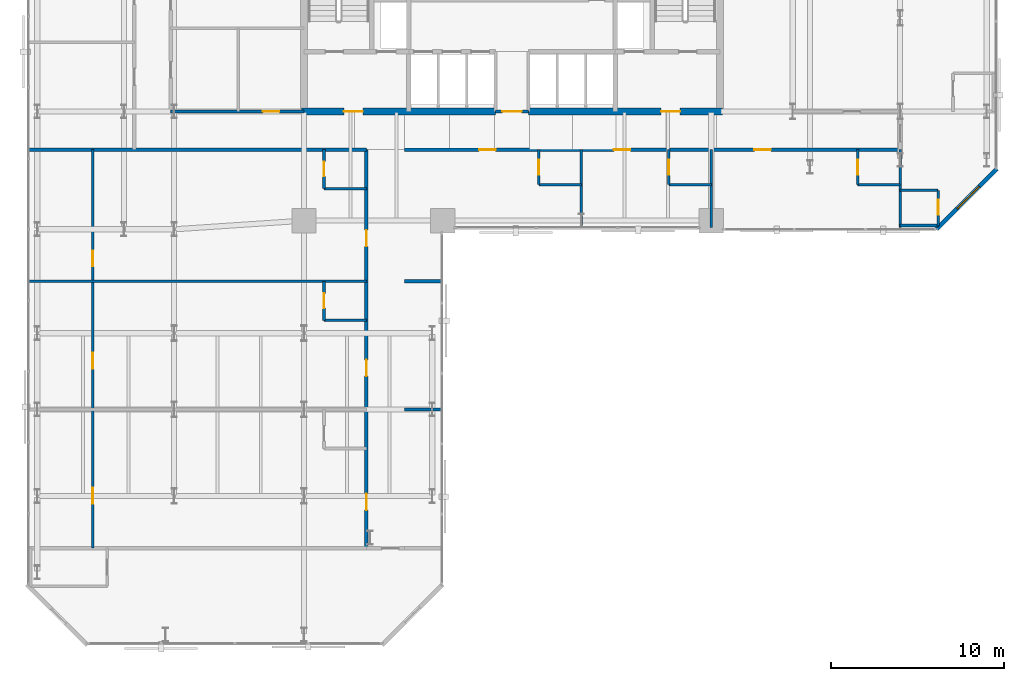
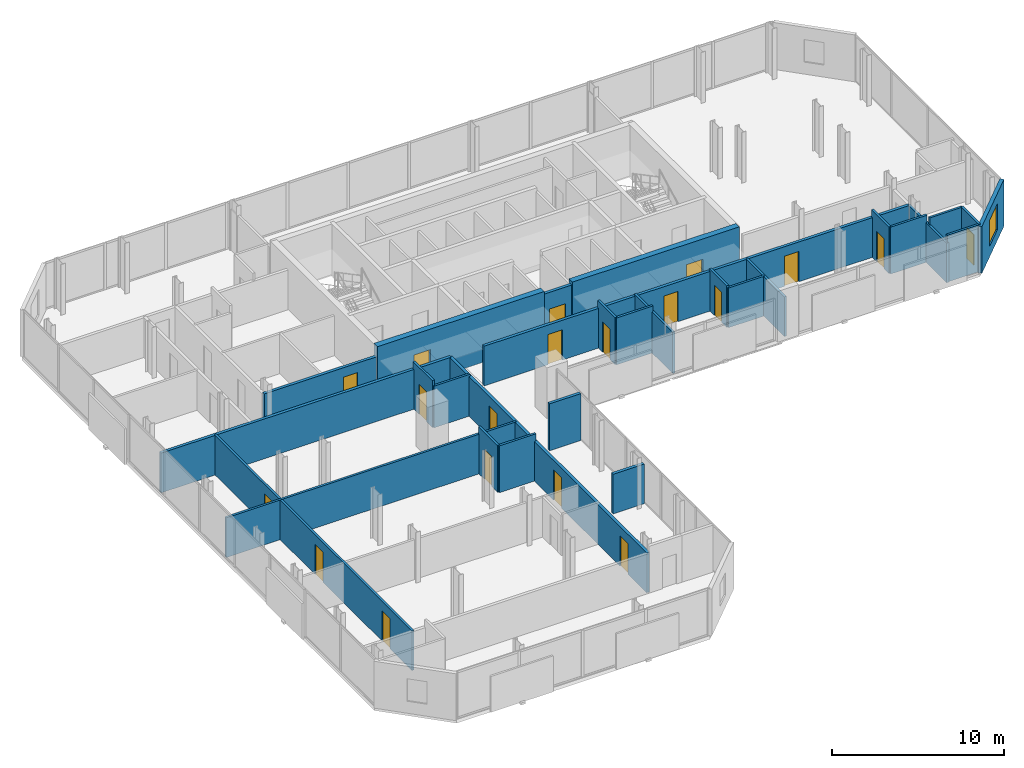
# One storey, part 29 of 33: 28 walls, 19 doors, 1 window, 20 openings.
"""IFC4 building model written with IfcOpenShell, lengths in metres."""

from ifc_helpers import new_model, si_unit, direction, frame, frame_2d, origin, place, context, subcontext, project, spatial, rectangle, extrude, material, layer, layer_set, type_object, element, fill, save


model = new_model("IFC4")

# Units and contexts
model_context = context("Model", 3, precision=1e-05, world=origin(), true_north=direction((0.0, 1.0)))
body_context = subcontext(model_context, "Body", "Model", "MODEL_VIEW")
ifc_project = project(units=[si_unit("LENGTHUNIT", "METRE"), si_unit("AREAUNIT", "SQUARE_METRE"), si_unit("VOLUMEUNIT", "CUBIC_METRE"), si_unit("PLANEANGLEUNIT", "RADIAN"), si_unit("MASSUNIT", "GRAM", prefix="KILO")], contexts=[model_context])

# Site, building, storey
site_placement = place(None, origin())
site = spatial("IfcSite", under=ifc_project, at=site_placement, CompositionType="ELEMENT")
building_placement = place(site_placement, origin())
building = spatial("IfcBuilding", under=site, at=building_placement, Name="Catumbela Crestline Tower", CompositionType="ELEMENT")
storey_placement = place(building_placement, frame((0.0, 0.0, 47.4)))
storey = spatial("IfcBuildingStorey", under=building, at=storey_placement, Name="L11", CompositionType="ELEMENT", Elevation=47.4)

# Wall, opening, door
ifc_material_1 = material(Name="Concrete C60/75", Category="concrete")
ifc_layer_1 = layer(ifc_material_1, 0.4, Name="Concrete C60/75")
ifc_layer_set_1 = layer_set([ifc_layer_1], Name="Concrete C60/75")
wall_type_1 = type_object("IfcWallType", Name="CW-400A", PredefinedType="SHEAR", material=ifc_layer_set_1)
wall_1_placement = place(storey_placement, frame((15.85, 30.8, 0.0), z_axis=(0.0, 0.0, 1.0), x_axis=(1.0, 0.0, 0.0)))
wall_1 = element("IfcWall", 1, at=wall_1_placement, inside=storey, type_object=wall_type_1, Name="L11 Structural Core Shear Wall SW", PredefinedType="SHEAR", context=body_context, shape_type="SweptSolid", body=[
    extrude(rectangle(XDim=11.2, YDim=0.4, at=frame_2d((5.6, 0.0))), origin(), (0.0, 0.0, 1.0), 3.6),
])
opening_1_placement = place(wall_1_placement, frame((2.45, 0.0, 0.0)))
opening_1 = element("IfcOpeningElement", 2, at=opening_1_placement, cuts=wall_1, Name="Opening DF9-110", PredefinedType="OPENING", context=body_context, shape_type="SweptSolid", body=[
    extrude(rectangle(XDim=1.1, YDim=2.15, at=frame_2d((0.55, 1.075))), frame((0.0, 0.21, 0.0), z_axis=(0.0, -1.0, 0.0), x_axis=(1.0, 0.0, 0.0)), (0.0, 0.0, 1.0), 0.42),
])
ifc_material_2 = material(Name="Stainless steel EN 1.4401", Category="steel")
door_type_1 = type_object("IfcDoorType", Name="DF9-110", OperationType="NOTDEFINED", PredefinedType="DOOR", material=ifc_material_2)
door_1_placement = place(opening_1_placement, origin())
door_1 = element("IfcDoor", 3, at=door_1_placement, inside=storey, type_object=door_type_1, Name="L11 Interior Door DR-L11-FFW-S", OperationType="SINGLE_SWING_LEFT", OverallHeight=2.15, OverallWidth=1.1, PredefinedType="DOOR", context=body_context, shape_type="SweptSolid", body=[
    extrude(rectangle(XDim=1.1, YDim=2.15, at=frame_2d((0.55, 1.075))), frame((0.0, 0.025, 0.0), z_axis=(0.0, -1.0, 0.0), x_axis=(1.0, 0.0, 0.0)), (0.0, 0.0, 1.0), 0.05),
])
fill(opening_1, door_1)

wall_2_placement = place(storey_placement, frame((28.95, 30.8, 0.0), z_axis=(0.0, 0.0, 1.0), x_axis=(1.0, 0.0, 0.0)))
wall_2 = element("IfcWall", 4, at=wall_2_placement, inside=storey, type_object=wall_type_1, Name="L11 Structural Core Shear Wall SE", PredefinedType="SHEAR", context=body_context, shape_type="SweptSolid", body=[
    extrude(rectangle(XDim=11.2, YDim=0.4, at=frame_2d((5.6, 0.0))), origin(), (0.0, 0.0, 1.0), 3.6),
])
opening_2_placement = place(wall_2_placement, frame((7.65, 0.0, 0.0)))
opening_2 = element("IfcOpeningElement", 5, at=opening_2_placement, cuts=wall_2, Name="Opening DF9-110", PredefinedType="OPENING", context=body_context, shape_type="SweptSolid", body=[
    extrude(rectangle(XDim=1.1, YDim=2.15, at=frame_2d((0.55, 1.075))), frame((0.0, 0.21, 0.0), z_axis=(0.0, -1.0, 0.0), x_axis=(1.0, 0.0, 0.0)), (0.0, 0.0, 1.0), 0.42),
])
door_2_placement = place(opening_2_placement, origin())
door_2 = element("IfcDoor", 6, at=door_2_placement, inside=storey, type_object=door_type_1, Name="L11 Interior Door DR-L11-FFE-S", OperationType="SINGLE_SWING_RIGHT", OverallHeight=2.15, OverallWidth=1.1, PredefinedType="DOOR", context=body_context, shape_type="SweptSolid", body=[
    extrude(rectangle(XDim=1.1, YDim=2.15, at=frame_2d((0.55, 1.075))), frame((0.0, 0.025, 0.0), z_axis=(0.0, -1.0, 0.0), x_axis=(1.0, 0.0, 0.0)), (0.0, 0.0, 1.0), 0.05),
])
fill(opening_2, door_2)

ifc_material_3 = material(Name="Acoustic gypsum and mineral-wool partition")
ifc_layer_2 = layer(ifc_material_3, 0.2, Name="Acoustic gypsum and mineral-wool partition")
ifc_layer_set_2 = layer_set([ifc_layer_2], Name="Acoustic gypsum and mineral-wool partition")
wall_type_2 = type_object("IfcWallType", Name="WC-200", PredefinedType="PARTITIONING", material=ifc_layer_set_2)
wall_3_placement = place(storey_placement, frame((27.05, 30.8, 0.0), z_axis=(0.0, 0.0, 1.0), x_axis=(1.0, 0.0, 0.0)))
wall_3 = element("IfcWall", 7, at=wall_3_placement, inside=storey, type_object=wall_type_2, Name="L11 Interior Partition PW-L11-CLOBS", PredefinedType="PARTITIONING", context=body_context, shape_type="SweptSolid", body=[
    extrude(rectangle(XDim=1.9, YDim=0.2, at=frame_2d((0.95, 0.0))), origin(), (0.0, 0.0, 1.0), 3.33),
])
opening_3_placement = place(wall_3_placement, frame((0.4, 0.0, 0.0)))
opening_3 = element("IfcOpeningElement", 8, at=opening_3_placement, cuts=wall_3, Name="Opening DF9-110", PredefinedType="OPENING", context=body_context, shape_type="SweptSolid", body=[
    extrude(rectangle(XDim=1.1, YDim=2.15, at=frame_2d((0.55, 1.075))), frame((0.0, 0.11, 0.0), z_axis=(0.0, -1.0, 0.0), x_axis=(1.0, 0.0, 0.0)), (0.0, 0.0, 1.0), 0.22),
])
door_3_placement = place(opening_3_placement, origin())
door_3 = element("IfcDoor", 9, at=door_3_placement, inside=storey, type_object=door_type_1, Name="L11 Interior Door DR-L11-CLOBS", OperationType="SINGLE_SWING_LEFT", OverallHeight=2.15, OverallWidth=1.1, PredefinedType="DOOR", context=body_context, shape_type="SweptSolid", body=[
    extrude(rectangle(XDim=1.1, YDim=2.15, at=frame_2d((0.55, 1.075))), frame((0.0, 0.025, 0.0), z_axis=(0.0, -1.0, 0.0), x_axis=(1.0, 0.0, 0.0)), (0.0, 0.0, 1.0), 0.05),
])
fill(opening_3, door_3)

# Wall
wall_4_placement = place(storey_placement, frame((0.1, 28.6, 0.0), z_axis=(0.0, 0.0, 1.0), x_axis=(1.0, 0.0, 0.0)))
element("IfcWall", 10, at=wall_4_placement, inside=storey, type_object=wall_type_2, Name="L11 Interior Partition PW-L11-CWGL-N", PredefinedType="PARTITIONING", context=body_context, shape_type="SweptSolid", body=[
    extrude(rectangle(XDim=19.5, YDim=0.2, at=frame_2d((9.75, 0.0))), origin(), (0.0, 0.0, 1.0), 2.82),
])

# Wall, openings, doors
wall_5_placement = place(storey_placement, frame((21.8, 28.6, 0.0), z_axis=(0.0, 0.0, 1.0), x_axis=(1.0, 0.0, 0.0)))
wall_5 = element("IfcWall", 11, at=wall_5_placement, inside=storey, type_object=wall_type_2, Name="L11 Interior Partition PW-L11-CWGR-N", PredefinedType="PARTITIONING", context=body_context, shape_type="SweptSolid", body=[
    extrude(rectangle(XDim=28.6, YDim=0.2, at=frame_2d((14.3, 0.0))), origin(), (0.0, 0.0, 1.0), 2.82),
])
opening_4_placement = place(wall_5_placement, frame((4.3, 0.0, 0.0)))
opening_4 = element("IfcOpeningElement", 12, at=opening_4_placement, cuts=wall_5, Name="Opening DF6-095", PredefinedType="OPENING", context=body_context, shape_type="SweptSolid", body=[
    extrude(rectangle(XDim=0.95, YDim=2.15, at=frame_2d((0.475, 1.075))), frame((0.0, 0.11, 0.0), z_axis=(0.0, -1.0, 0.0), x_axis=(1.0, 0.0, 0.0)), (0.0, 0.0, 1.0), 0.22),
])
opening_5_placement = place(wall_5_placement, frame((12.075, 0.0, 0.0)))
opening_5 = element("IfcOpeningElement", 13, at=opening_5_placement, cuts=wall_5, Name="Opening DF6-095", PredefinedType="OPENING", context=body_context, shape_type="SweptSolid", body=[
    extrude(rectangle(XDim=0.95, YDim=2.15, at=frame_2d((0.475, 1.075))), frame((0.0, 0.11, 0.0), z_axis=(0.0, -1.0, 0.0), x_axis=(1.0, 0.0, 0.0)), (0.0, 0.0, 1.0), 0.22),
])
opening_6_placement = place(wall_5_placement, frame((20.1859, 0.0, 0.0)))
opening_6 = element("IfcOpeningElement", 14, at=opening_6_placement, cuts=wall_5, Name="Opening DF6-095", PredefinedType="OPENING", context=body_context, shape_type="SweptSolid", body=[
    extrude(rectangle(XDim=0.95, YDim=2.15, at=frame_2d((0.475, 1.075))), frame((0.0, 0.11, 0.0), z_axis=(0.0, -1.0, 0.0), x_axis=(1.0, 0.0, 0.0)), (0.0, 0.0, 1.0), 0.22),
])
ifc_material_4 = material(Name="Aluminium alloy AW-6060-T66", Category="aluminium")
door_type_2 = type_object("IfcDoorType", Name="DF6-095", OperationType="NOTDEFINED", PredefinedType="DOOR", material=ifc_material_4)
door_4_placement = place(opening_4_placement, origin())
door_4 = element("IfcDoor", 15, at=door_4_placement, inside=storey, type_object=door_type_2, Name="L11 Interior Door DR-L11-K1-ENT", OperationType="SINGLE_SWING_LEFT", OverallHeight=2.15, OverallWidth=0.95, PredefinedType="DOOR", context=body_context, shape_type="SweptSolid", body=[
    extrude(rectangle(XDim=0.95, YDim=2.15, at=frame_2d((0.475, 1.075))), frame((0.0, 0.025, 0.0), z_axis=(0.0, -1.0, 0.0), x_axis=(1.0, 0.0, 0.0)), (0.0, 0.0, 1.0), 0.05),
])
fill(opening_4, door_4)
door_5_placement = place(opening_5_placement, origin())
door_5 = element("IfcDoor", 16, at=door_5_placement, inside=storey, type_object=door_type_2, Name="L11 Interior Door DR-L11-K2-ENT", OperationType="SINGLE_SWING_RIGHT", OverallHeight=2.15, OverallWidth=0.95, PredefinedType="DOOR", context=body_context, shape_type="SweptSolid", body=[
    extrude(rectangle(XDim=0.95, YDim=2.15, at=frame_2d((0.475, 1.075))), frame((0.0, 0.025, 0.0), z_axis=(0.0, -1.0, 0.0), x_axis=(1.0, 0.0, 0.0)), (0.0, 0.0, 1.0), 0.05),
])
fill(opening_5, door_5)
door_6_placement = place(opening_6_placement, origin())
door_6 = element("IfcDoor", 17, at=door_6_placement, inside=storey, type_object=door_type_2, Name="L11 Interior Door DR-L11-K3-ENT", OperationType="SINGLE_SWING_LEFT", OverallHeight=2.15, OverallWidth=0.95, PredefinedType="DOOR", context=body_context, shape_type="SweptSolid", body=[
    extrude(rectangle(XDim=0.95, YDim=2.15, at=frame_2d((0.475, 1.075))), frame((0.0, 0.025, 0.0), z_axis=(0.0, -1.0, 0.0), x_axis=(1.0, 0.0, 0.0)), (0.0, 0.0, 1.0), 0.05),
])
fill(opening_6, door_6)

# Wall, opening, door
wall_6_placement = place(storey_placement, frame((8.3, 30.8, 0.0), z_axis=(0.0, 0.0, 1.0), x_axis=(1.0, 0.0, 0.0)))
wall_6 = element("IfcWall", 18, at=wall_6_placement, inside=storey, type_object=wall_type_2, Name="L11 Interior Partition PW-L11-HK-S", PredefinedType="PARTITIONING", context=body_context, shape_type="SweptSolid", body=[
    extrude(rectangle(XDim=7.7, YDim=0.2, at=frame_2d((3.85, 0.0))), origin(), (0.0, 0.0, 1.0), 2.82),
])
opening_7_placement = place(wall_6_placement, frame((5.325, 0.0, 0.0)))
opening_7 = element("IfcOpeningElement", 19, at=opening_7_placement, cuts=wall_6, Name="Opening DF6-095", PredefinedType="OPENING", context=body_context, shape_type="SweptSolid", body=[
    extrude(rectangle(XDim=0.95, YDim=2.15, at=frame_2d((0.475, 1.075))), frame((0.0, 0.11, 0.0), z_axis=(0.0, -1.0, 0.0), x_axis=(1.0, 0.0, 0.0)), (0.0, 0.0, 1.0), 0.22),
])
door_7_placement = place(opening_7_placement, origin())
door_7 = element("IfcDoor", 20, at=door_7_placement, inside=storey, type_object=door_type_2, Name="L11 Interior Door DR-L11-HKP", OperationType="SINGLE_SWING_LEFT", OverallHeight=2.15, OverallWidth=0.95, PredefinedType="DOOR", context=body_context, shape_type="SweptSolid", body=[
    extrude(rectangle(XDim=0.95, YDim=2.15, at=frame_2d((0.475, 1.075))), frame((0.0, 0.025, 0.0), z_axis=(0.0, -1.0, 0.0), x_axis=(1.0, 0.0, 0.0)), (0.0, 0.0, 1.0), 0.05),
])
fill(opening_7, door_7)

# Wall, openings, doors
wall_7_placement = place(storey_placement, frame((19.6, 5.6, 0.0), z_axis=(0.0, 0.0, 1.0), x_axis=(0.0, 1.0, 0.0)))
wall_7 = element("IfcWall", 21, at=wall_7_placement, inside=storey, type_object=wall_type_2, Name="L11 Interior Partition PW-L11-WL1-ENT", PredefinedType="PARTITIONING", context=body_context, shape_type="SweptSolid", body=[
    extrude(rectangle(XDim=23.0, YDim=0.2, at=frame_2d((11.5, 0.0))), origin(), (0.0, 0.0, 1.0), 2.82),
])
opening_8_placement = place(wall_7_placement, frame((2.19, 0.0, 0.0)))
opening_8 = element("IfcOpeningElement", 22, at=opening_8_placement, cuts=wall_7, Name="Opening DF6-095", PredefinedType="OPENING", context=body_context, shape_type="SweptSolid", body=[
    extrude(rectangle(XDim=0.95, YDim=2.15, at=frame_2d((0.475, 1.075))), frame((0.0, 0.11, 0.0), z_axis=(0.0, -1.0, 0.0), x_axis=(1.0, 0.0, 0.0)), (0.0, 0.0, 1.0), 0.22),
])
opening_9_placement = place(wall_7_placement, frame((9.92, 0.0, 0.0)))
opening_9 = element("IfcOpeningElement", 23, at=opening_9_placement, cuts=wall_7, Name="Opening DF6-095", PredefinedType="OPENING", context=body_context, shape_type="SweptSolid", body=[
    extrude(rectangle(XDim=0.95, YDim=2.15, at=frame_2d((0.475, 1.075))), frame((0.0, 0.11, 0.0), z_axis=(0.0, -1.0, 0.0), x_axis=(1.0, 0.0, 0.0)), (0.0, 0.0, 1.0), 0.22),
])
opening_10_placement = place(wall_7_placement, frame((17.41, 0.0, 0.0)))
opening_10 = element("IfcOpeningElement", 24, at=opening_10_placement, cuts=wall_7, Name="Opening DF6-095", PredefinedType="OPENING", context=body_context, shape_type="SweptSolid", body=[
    extrude(rectangle(XDim=0.95, YDim=2.15, at=frame_2d((0.475, 1.075))), frame((0.0, 0.11, 0.0), z_axis=(0.0, -1.0, 0.0), x_axis=(1.0, 0.0, 0.0)), (0.0, 0.0, 1.0), 0.22),
])
door_8_placement = place(opening_8_placement, origin())
door_8 = element("IfcDoor", 25, at=door_8_placement, inside=storey, type_object=door_type_2, Name="L11 Interior Door DR-L11-WL1-ENT", OperationType="SINGLE_SWING_LEFT", OverallHeight=2.15, OverallWidth=0.95, PredefinedType="DOOR", context=body_context, shape_type="SweptSolid", body=[
    extrude(rectangle(XDim=0.95, YDim=2.15, at=frame_2d((0.475, 1.075))), frame((0.0, 0.025, 0.0), z_axis=(0.0, -1.0, 0.0), x_axis=(1.0, 0.0, 0.0)), (0.0, 0.0, 1.0), 0.05),
])
fill(opening_8, door_8)
door_9_placement = place(opening_9_placement, origin())
door_9 = element("IfcDoor", 26, at=door_9_placement, inside=storey, type_object=door_type_2, Name="L11 Interior Door DR-L11-WL2-ENT", OperationType="SINGLE_SWING_RIGHT", OverallHeight=2.15, OverallWidth=0.95, PredefinedType="DOOR", context=body_context, shape_type="SweptSolid", body=[
    extrude(rectangle(XDim=0.95, YDim=2.15, at=frame_2d((0.475, 1.075))), frame((0.0, 0.025, 0.0), z_axis=(0.0, -1.0, 0.0), x_axis=(1.0, 0.0, 0.0)), (0.0, 0.0, 1.0), 0.05),
])
fill(opening_9, door_9)
door_10_placement = place(opening_10_placement, origin())
door_10 = element("IfcDoor", 27, at=door_10_placement, inside=storey, type_object=door_type_2, Name="L11 Interior Door DR-L11-WL3-ENT", OperationType="SINGLE_SWING_LEFT", OverallHeight=2.15, OverallWidth=0.95, PredefinedType="DOOR", context=body_context, shape_type="SweptSolid", body=[
    extrude(rectangle(XDim=0.95, YDim=2.15, at=frame_2d((0.475, 1.075))), frame((0.0, 0.025, 0.0), z_axis=(0.0, -1.0, 0.0), x_axis=(1.0, 0.0, 0.0)), (0.0, 0.0, 1.0), 0.05),
])
fill(opening_10, door_10)

# Wall, opening, window
ifc_material_5 = material(Name="Angolan grey-ochre granite", Category="masonry")
ifc_layer_3 = layer(ifc_material_5, 0.25, Name="Angolan grey-ochre granite")
ifc_layer_set_3 = layer_set([ifc_layer_3], Name="Angolan grey-ochre granite")
wall_type_3 = type_object("IfcWallType", Name="WE-250", PredefinedType="STANDARD", material=ifc_layer_set_3)
wall_8_placement = place(storey_placement, frame((52.5, 24.0, 0.0), z_axis=(0.0, 0.0, 1.0), x_axis=(0.707106781187, 0.707106781187, 0.0)))
wall_8 = element("IfcWall", 28, at=wall_8_placement, inside=storey, type_object=wall_type_3, Name="L11 Granite Punched Window Wall 4-1", PredefinedType="STANDARD", context=body_context, shape_type="SweptSolid", body=[
    extrude(rectangle(XDim=4.9497, YDim=0.25, at=frame_2d((2.4748, 0.0))), origin(), (0.0, 0.0, 1.0), 3.33),
])
opening_11_placement = place(wall_8_placement, frame((1.6851, 0.0, 0.75)))
opening_11 = element("IfcOpeningElement", 29, at=opening_11_placement, cuts=wall_8, Name="Opening WN-01", PredefinedType="OPENING", context=body_context, shape_type="SweptSolid", body=[
    extrude(rectangle(XDim=1.8, YDim=1.85, at=frame_2d((0.9, 0.925))), frame((0.0, 0.135, 0.0), z_axis=(0.0, -1.0, 0.0), x_axis=(1.0, 0.0, 0.0)), (0.0, 0.0, 1.0), 0.27),
])
ifc_material_6 = material(Name="Low-E laminated solar-control double glazing", Category="glass")
window_type = type_object("IfcWindowType", Name="WF-1800", PartitioningType="SINGLE_PANEL", PredefinedType="WINDOW", material=ifc_material_6)
window_placement = place(opening_11_placement, origin())
window = element("IfcWindow", 30, at=window_placement, inside=storey, type_object=window_type, Name="L11 Facade Vision Window 79", OverallHeight=1.85, OverallWidth=1.8, PartitioningType="SINGLE_PANEL", PredefinedType="WINDOW", context=body_context, shape_type="SweptSolid", body=[
    extrude(rectangle(XDim=1.8, YDim=1.85, at=frame_2d((0.9, 0.925))), frame((0.0, 0.03, 0.0), z_axis=(0.0, -1.0, 0.0), x_axis=(1.0, 0.0, 0.0)), (0.0, 0.0, 1.0), 0.06),
])
fill(opening_11, window)

# Wall
ifc_layer_4 = layer(ifc_material_3, 0.15, Name="Acoustic gypsum and mineral-wool partition")
ifc_layer_set_4 = layer_set([ifc_layer_4], Name="Acoustic gypsum and mineral-wool partition")
wall_type_4 = type_object("IfcWallType", Name="WP-150", PredefinedType="PARTITIONING", material=ifc_layer_set_4)
wall_9_placement = place(storey_placement, frame((29.55, 26.576, 0.0), z_axis=(0.0, 0.0, 1.0), x_axis=(1.0, 0.0, 0.0)))
element("IfcWall", 31, at=wall_9_placement, inside=storey, type_object=wall_type_4, Name="L11 Interior Partition PW-L11-K1-BHW", PredefinedType="PARTITIONING", context=body_context, shape_type="SweptSolid", body=[
    extrude(rectangle(XDim=2.45, YDim=0.15, at=frame_2d((1.225, 0.0))), origin(), (0.0, 0.0, 1.0), 3.33),
])

# Wall, opening, door
wall_10_placement = place(storey_placement, frame((29.55, 26.576, 0.0), z_axis=(0.0, 0.0, 1.0), x_axis=(0.0, 1.0, 0.0)))
wall_10 = element("IfcWall", 32, at=wall_10_placement, inside=storey, type_object=wall_type_4, Name="L11 Interior Partition PW-L11-K1-BWW", PredefinedType="PARTITIONING", context=body_context, shape_type="SweptSolid", body=[
    extrude(rectangle(XDim=2.024, YDim=0.15, at=frame_2d((1.012, 0.0))), origin(), (0.0, 0.0, 1.0), 3.33),
])
opening_12_placement = place(wall_10_placement, frame((0.587, 0.0, 0.0)))
opening_12 = element("IfcOpeningElement", 33, at=opening_12_placement, cuts=wall_10, Name="Opening DI-085", PredefinedType="OPENING", context=body_context, shape_type="SweptSolid", body=[
    extrude(rectangle(XDim=0.85, YDim=2.15, at=frame_2d((0.425, 1.075))), frame((0.0, 0.085, 0.0), z_axis=(0.0, -1.0, 0.0), x_axis=(1.0, 0.0, 0.0)), (0.0, 0.0, 1.0), 0.17),
])
door_type_3 = type_object("IfcDoorType", Name="DI-085", OperationType="NOTDEFINED", PredefinedType="DOOR", material=ifc_material_4)
door_11_placement = place(opening_12_placement, origin())
door_11 = element("IfcDoor", 34, at=door_11_placement, inside=storey, type_object=door_type_3, Name="L11 Interior Door DR-L11-K1-BTH", OperationType="SINGLE_SWING_RIGHT", OverallHeight=2.15, OverallWidth=0.85, PredefinedType="DOOR", context=body_context, shape_type="SweptSolid", body=[
    extrude(rectangle(XDim=0.85, YDim=2.15, at=frame_2d((0.425, 1.075))), frame((0.0, 0.025, 0.0), z_axis=(0.0, -1.0, 0.0), x_axis=(1.0, 0.0, 0.0)), (0.0, 0.0, 1.0), 0.05),
])
fill(opening_12, door_11)

# Walls
wall_11_placement = place(storey_placement, frame((32.0, 28.6, 0.0), z_axis=(0.0, 0.0, 1.0), x_axis=(0.0, -1.0, 0.0)))
element("IfcWall", 35, at=wall_11_placement, inside=storey, type_object=wall_type_4, Name="L11 Interior Partition PW-L11-K1-BCL-2", PredefinedType="PARTITIONING", context=body_context, shape_type="SweptSolid", body=[
    extrude(rectangle(XDim=4.5, YDim=0.15, at=frame_2d((2.25, 0.0))), origin(), (0.0, 0.0, 1.0), 2.93),
])
wall_12_placement = place(storey_placement, frame((37.05, 26.576, 0.0), z_axis=(0.0, 0.0, 1.0), x_axis=(1.0, 0.0, 0.0)))
element("IfcWall", 36, at=wall_12_placement, inside=storey, type_object=wall_type_4, Name="L11 Interior Partition PW-L11-K2-BHW", PredefinedType="PARTITIONING", context=body_context, shape_type="SweptSolid", body=[
    extrude(rectangle(XDim=2.45, YDim=0.15, at=frame_2d((1.225, 0.0))), origin(), (0.0, 0.0, 1.0), 2.82),
])

# Wall, opening, door
wall_13_placement = place(storey_placement, frame((37.05, 26.576, 0.0), z_axis=(0.0, 0.0, 1.0), x_axis=(0.0, 1.0, 0.0)))
wall_13 = element("IfcWall", 37, at=wall_13_placement, inside=storey, type_object=wall_type_4, Name="L11 Interior Partition PW-L11-K2-BWW", PredefinedType="PARTITIONING", context=body_context, shape_type="SweptSolid", body=[
    extrude(rectangle(XDim=2.024, YDim=0.15, at=frame_2d((1.012, 0.0))), origin(), (0.0, 0.0, 1.0), 2.96),
])
opening_13_placement = place(wall_13_placement, frame((0.587, 0.0, 0.0)))
opening_13 = element("IfcOpeningElement", 38, at=opening_13_placement, cuts=wall_13, Name="Opening DI-085", PredefinedType="OPENING", context=body_context, shape_type="SweptSolid", body=[
    extrude(rectangle(XDim=0.85, YDim=2.15, at=frame_2d((0.425, 1.075))), frame((0.0, 0.085, 0.0), z_axis=(0.0, -1.0, 0.0), x_axis=(1.0, 0.0, 0.0)), (0.0, 0.0, 1.0), 0.17),
])
door_12_placement = place(opening_13_placement, origin())
door_12 = element("IfcDoor", 39, at=door_12_placement, inside=storey, type_object=door_type_3, Name="L11 Interior Door DR-L11-K2-BTH", OperationType="SINGLE_SWING_RIGHT", OverallHeight=2.15, OverallWidth=0.85, PredefinedType="DOOR", context=body_context, shape_type="SweptSolid", body=[
    extrude(rectangle(XDim=0.85, YDim=2.15, at=frame_2d((0.425, 1.075))), frame((0.0, 0.025, 0.0), z_axis=(0.0, -1.0, 0.0), x_axis=(1.0, 0.0, 0.0)), (0.0, 0.0, 1.0), 0.05),
])
fill(opening_13, door_12)

# Walls
wall_14_placement = place(storey_placement, frame((39.5, 28.6, 0.0), z_axis=(0.0, 0.0, 1.0), x_axis=(0.0, -1.0, 0.0)))
element("IfcWall", 40, at=wall_14_placement, inside=storey, type_object=wall_type_4, Name="L11 Interior Partition PW-L11-K2-BCL-2", PredefinedType="PARTITIONING", context=body_context, shape_type="SweptSolid", body=[
    extrude(rectangle(XDim=4.5, YDim=0.15, at=frame_2d((2.25, 0.0))), origin(), (0.0, 0.0, 1.0), 2.82),
])
wall_15_placement = place(storey_placement, frame((47.95, 26.576, 0.0), z_axis=(0.0, 0.0, 1.0), x_axis=(1.0, 0.0, 0.0)))
element("IfcWall", 41, at=wall_15_placement, inside=storey, type_object=wall_type_4, Name="L11 Interior Partition PW-L11-K3-BHW", PredefinedType="PARTITIONING", context=body_context, shape_type="SweptSolid", body=[
    extrude(rectangle(XDim=2.45, YDim=0.15, at=frame_2d((1.225, 0.0))), origin(), (0.0, 0.0, 1.0), 3.33),
])

# Wall, opening, door
wall_16_placement = place(storey_placement, frame((47.95, 26.576, 0.0), z_axis=(0.0, 0.0, 1.0), x_axis=(0.0, 1.0, 0.0)))
wall_16 = element("IfcWall", 42, at=wall_16_placement, inside=storey, type_object=wall_type_4, Name="L11 Interior Partition PW-L11-K3-BWW", PredefinedType="PARTITIONING", context=body_context, shape_type="SweptSolid", body=[
    extrude(rectangle(XDim=2.024, YDim=0.15, at=frame_2d((1.012, 0.0))), origin(), (0.0, 0.0, 1.0), 3.33),
])
opening_14_placement = place(wall_16_placement, frame((0.587, 0.0, 0.0)))
opening_14 = element("IfcOpeningElement", 43, at=opening_14_placement, cuts=wall_16, Name="Opening DI-085", PredefinedType="OPENING", context=body_context, shape_type="SweptSolid", body=[
    extrude(rectangle(XDim=0.85, YDim=2.15, at=frame_2d((0.425, 1.075))), frame((0.0, 0.085, 0.0), z_axis=(0.0, -1.0, 0.0), x_axis=(1.0, 0.0, 0.0)), (0.0, 0.0, 1.0), 0.17),
])
door_13_placement = place(opening_14_placement, origin())
door_13 = element("IfcDoor", 44, at=door_13_placement, inside=storey, type_object=door_type_3, Name="L11 Interior Door DR-L11-K3-BTH", OperationType="SINGLE_SWING_RIGHT", OverallHeight=2.15, OverallWidth=0.85, PredefinedType="DOOR", context=body_context, shape_type="SweptSolid", body=[
    extrude(rectangle(XDim=0.85, YDim=2.15, at=frame_2d((0.425, 1.075))), frame((0.0, 0.025, 0.0), z_axis=(0.0, -1.0, 0.0), x_axis=(1.0, 0.0, 0.0)), (0.0, 0.0, 1.0), 0.05),
])
fill(opening_14, door_13)

# Walls
wall_17_placement = place(storey_placement, frame((50.4, 28.6, 0.0), z_axis=(0.0, 0.0, 1.0), x_axis=(0.0, -1.0, 0.0)))
element("IfcWall", 45, at=wall_17_placement, inside=storey, type_object=wall_type_4, Name="L11 Interior Partition PW-L11-K3-BCL-2", PredefinedType="PARTITIONING", context=body_context, shape_type="SweptSolid", body=[
    extrude(rectangle(XDim=4.5, YDim=0.15, at=frame_2d((2.25, 0.0))), origin(), (0.0, 0.0, 1.0), 2.82),
])
wall_18_placement = place(storey_placement, frame((50.4, 26.25, 0.0), z_axis=(0.0, 0.0, 1.0), x_axis=(1.0, 0.0, 0.0)))
element("IfcWall", 46, at=wall_18_placement, inside=storey, type_object=wall_type_4, Name="L11 Interior Partition PW-L11-NESE-BNW", PredefinedType="PARTITIONING", context=body_context, shape_type="SweptSolid", body=[
    extrude(rectangle(XDim=2.2, YDim=0.15, at=frame_2d((1.1, 0.0))), origin(), (0.0, 0.0, 1.0), 3.33),
])

# Wall, opening, door
wall_19_placement = place(storey_placement, frame((52.6, 24.2, 0.0), z_axis=(0.0, 0.0, 1.0), x_axis=(0.0, 1.0, 0.0)))
wall_19 = element("IfcWall", 47, at=wall_19_placement, inside=storey, type_object=wall_type_4, Name="L11 Interior Partition PW-L11-NESE-BEW", PredefinedType="PARTITIONING", context=body_context, shape_type="SweptSolid", body=[
    extrude(rectangle(XDim=2.05, YDim=0.15, at=frame_2d((1.025, 0.0))), origin(), (0.0, 0.0, 1.0), 3.33),
])
opening_15_placement = place(wall_19_placement, frame((0.6514, 0.0, 0.0)))
opening_15 = element("IfcOpeningElement", 48, at=opening_15_placement, cuts=wall_19, Name="Opening DI-085", PredefinedType="OPENING", context=body_context, shape_type="SweptSolid", body=[
    extrude(rectangle(XDim=0.85, YDim=2.15, at=frame_2d((0.425, 1.075))), frame((0.0, 0.085, 0.0), z_axis=(0.0, -1.0, 0.0), x_axis=(1.0, 0.0, 0.0)), (0.0, 0.0, 1.0), 0.17),
])
door_14_placement = place(opening_15_placement, origin())
door_14 = element("IfcDoor", 49, at=door_14_placement, inside=storey, type_object=door_type_3, Name="L11 Interior Door DR-L11-NESE-BTH", OperationType="SINGLE_SWING_LEFT", OverallHeight=2.15, OverallWidth=0.85, PredefinedType="DOOR", context=body_context, shape_type="SweptSolid", body=[
    extrude(rectangle(XDim=0.85, YDim=2.15, at=frame_2d((0.425, 1.075))), frame((0.0, 0.025, 0.0), z_axis=(0.0, -1.0, 0.0), x_axis=(1.0, 0.0, 0.0)), (0.0, 0.0, 1.0), 0.05),
])
fill(opening_15, door_14)

# Wall
wall_20_placement = place(storey_placement, frame((52.62, 24.22, 0.0), z_axis=(0.0, 0.0, 1.0), x_axis=(-1.0, 0.0, 0.0)))
element("IfcWall", 50, at=wall_20_placement, inside=storey, type_object=wall_type_4, Name="L11 Interior Partition PW-L11-NESE-BCL-3", PredefinedType="PARTITIONING", context=body_context, shape_type="SweptSolid", body=[
    extrude(rectangle(XDim=2.22, YDim=0.15, at=frame_2d((1.11, 0.0))), origin(), (0.0, 0.0, 1.0), 3.33),
])

# Wall, openings, doors
wall_21_placement = place(storey_placement, frame((3.8, 5.6, 0.0), z_axis=(0.0, 0.0, 1.0), x_axis=(0.0, 1.0, 0.0)))
wall_21 = element("IfcWall", 51, at=wall_21_placement, inside=storey, type_object=wall_type_4, Name="L11 Interior Partition PW-L11-WL1-SBD", PredefinedType="PARTITIONING", context=body_context, shape_type="SweptSolid", body=[
    extrude(rectangle(XDim=23.0, YDim=0.15, at=frame_2d((11.5, 0.0))), origin(), (0.0, 0.0, 1.0), 2.82),
])
opening_16_placement = place(wall_21_placement, frame((2.575, 0.0, 0.0)))
opening_16 = element("IfcOpeningElement", 52, at=opening_16_placement, cuts=wall_21, Name="Opening DI-090", PredefinedType="OPENING", context=body_context, shape_type="SweptSolid", body=[
    extrude(rectangle(XDim=0.9, YDim=2.15, at=frame_2d((0.45, 1.075))), frame((0.0, 0.085, 0.0), z_axis=(0.0, -1.0, 0.0), x_axis=(1.0, 0.0, 0.0)), (0.0, 0.0, 1.0), 0.17),
])
opening_17_placement = place(wall_21_placement, frame((10.365, 0.0, 0.0)))
opening_17 = element("IfcOpeningElement", 53, at=opening_17_placement, cuts=wall_21, Name="Opening DI-090", PredefinedType="OPENING", context=body_context, shape_type="SweptSolid", body=[
    extrude(rectangle(XDim=0.9, YDim=2.15, at=frame_2d((0.45, 1.075))), frame((0.0, 0.085, 0.0), z_axis=(0.0, -1.0, 0.0), x_axis=(1.0, 0.0, 0.0)), (0.0, 0.0, 1.0), 0.17),
])
opening_18_placement = place(wall_21_placement, frame((16.26, 0.0, 0.0)))
opening_18 = element("IfcOpeningElement", 54, at=opening_18_placement, cuts=wall_21, Name="Opening DI-090", PredefinedType="OPENING", context=body_context, shape_type="SweptSolid", body=[
    extrude(rectangle(XDim=0.9, YDim=2.15, at=frame_2d((0.45, 1.075))), frame((0.0, 0.085, 0.0), z_axis=(0.0, -1.0, 0.0), x_axis=(1.0, 0.0, 0.0)), (0.0, 0.0, 1.0), 0.17),
])
door_type_4 = type_object("IfcDoorType", Name="DI-090", OperationType="NOTDEFINED", PredefinedType="DOOR", material=ifc_material_4)
door_15_placement = place(opening_16_placement, origin())
door_15 = element("IfcDoor", 55, at=door_15_placement, inside=storey, type_object=door_type_4, Name="L11 Interior Door DR-L11-WL1-SBD", OperationType="SINGLE_SWING_LEFT", OverallHeight=2.15, OverallWidth=0.9, PredefinedType="DOOR", context=body_context, shape_type="SweptSolid", body=[
    extrude(rectangle(XDim=0.9, YDim=2.15, at=frame_2d((0.45, 1.075))), frame((0.0, 0.025, 0.0), z_axis=(0.0, -1.0, 0.0), x_axis=(1.0, 0.0, 0.0)), (0.0, 0.0, 1.0), 0.05),
])
fill(opening_16, door_15)
door_16_placement = place(opening_17_placement, origin())
door_16 = element("IfcDoor", 56, at=door_16_placement, inside=storey, type_object=door_type_4, Name="L11 Interior Door DR-L11-WL2-SBD", OperationType="SINGLE_SWING_LEFT", OverallHeight=2.15, OverallWidth=0.9, PredefinedType="DOOR", context=body_context, shape_type="SweptSolid", body=[
    extrude(rectangle(XDim=0.9, YDim=2.15, at=frame_2d((0.45, 1.075))), frame((0.0, 0.025, 0.0), z_axis=(0.0, -1.0, 0.0), x_axis=(1.0, 0.0, 0.0)), (0.0, 0.0, 1.0), 0.05),
])
fill(opening_17, door_16)
door_17_placement = place(opening_18_placement, origin())
door_17 = element("IfcDoor", 57, at=door_17_placement, inside=storey, type_object=door_type_4, Name="L11 Interior Door DR-L11-WL3-SBD", OperationType="SINGLE_SWING_LEFT", OverallHeight=2.15, OverallWidth=0.9, PredefinedType="DOOR", context=body_context, shape_type="SweptSolid", body=[
    extrude(rectangle(XDim=0.9, YDim=2.15, at=frame_2d((0.45, 1.075))), frame((0.0, 0.025, 0.0), z_axis=(0.0, -1.0, 0.0), x_axis=(1.0, 0.0, 0.0)), (0.0, 0.0, 1.0), 0.05),
])
fill(opening_18, door_17)

# Wall
wall_22_placement = place(storey_placement, frame((17.15, 18.75, 0.0), z_axis=(0.0, 0.0, 1.0), x_axis=(1.0, 0.0, 0.0)))
element("IfcWall", 58, at=wall_22_placement, inside=storey, type_object=wall_type_4, Name="L11 Interior Partition PW-L11-WL2-BSW", PredefinedType="PARTITIONING", context=body_context, shape_type="SweptSolid", body=[
    extrude(rectangle(XDim=2.45, YDim=0.15, at=frame_2d((1.225, 0.0))), origin(), (0.0, 0.0, 1.0), 3.33),
])

# Wall, opening, door
wall_23_placement = place(storey_placement, frame((17.15, 18.75, 0.0), z_axis=(0.0, 0.0, 1.0), x_axis=(0.0, 1.0, 0.0)))
wall_23 = element("IfcWall", 59, at=wall_23_placement, inside=storey, type_object=wall_type_4, Name="L11 Interior Partition PW-L11-WL2-BWW", PredefinedType="PARTITIONING", context=body_context, shape_type="SweptSolid", body=[
    extrude(rectangle(XDim=2.25, YDim=0.15, at=frame_2d((1.125, 0.0))), origin(), (0.0, 0.0, 1.0), 3.33),
])
opening_19_placement = place(wall_23_placement, frame((0.7, 0.0, 0.0)))
opening_19 = element("IfcOpeningElement", 60, at=opening_19_placement, cuts=wall_23, Name="Opening DI-085", PredefinedType="OPENING", context=body_context, shape_type="SweptSolid", body=[
    extrude(rectangle(XDim=0.85, YDim=2.15, at=frame_2d((0.425, 1.075))), frame((0.0, 0.085, 0.0), z_axis=(0.0, -1.0, 0.0), x_axis=(1.0, 0.0, 0.0)), (0.0, 0.0, 1.0), 0.17),
])
door_18_placement = place(opening_19_placement, origin())
door_18 = element("IfcDoor", 61, at=door_18_placement, inside=storey, type_object=door_type_3, Name="L11 Interior Door DR-L11-WL2-BTH", OperationType="SINGLE_SWING_RIGHT", OverallHeight=2.15, OverallWidth=0.85, PredefinedType="DOOR", context=body_context, shape_type="SweptSolid", body=[
    extrude(rectangle(XDim=0.85, YDim=2.15, at=frame_2d((0.425, 1.075))), frame((0.0, 0.025, 0.0), z_axis=(0.0, -1.0, 0.0), x_axis=(1.0, 0.0, 0.0)), (0.0, 0.0, 1.0), 0.05),
])
fill(opening_19, door_18)

# Walls
wall_24_placement = place(storey_placement, frame((0.1, 21.0, 0.0), z_axis=(0.0, 0.0, 1.0), x_axis=(1.0, 0.0, 0.0)))
element("IfcWall", 62, at=wall_24_placement, inside=storey, type_object=wall_type_4, Name="L11 Interior Partition PW-L11-WL2-BCL-1", PredefinedType="PARTITIONING", context=body_context, shape_type="SweptSolid", body=[
    extrude(rectangle(XDim=19.5, YDim=0.15, at=frame_2d((9.75, 0.0))), origin(), (0.0, 0.0, 1.0), 2.82),
])
wall_25_placement = place(storey_placement, frame((17.15, 26.35, 0.0), z_axis=(0.0, 0.0, 1.0), x_axis=(1.0, 0.0, 0.0)))
element("IfcWall", 63, at=wall_25_placement, inside=storey, type_object=wall_type_4, Name="L11 Interior Partition PW-L11-WL3-BSW", PredefinedType="PARTITIONING", context=body_context, shape_type="SweptSolid", body=[
    extrude(rectangle(XDim=2.45, YDim=0.15, at=frame_2d((1.225, 0.0))), origin(), (0.0, 0.0, 1.0), 2.96),
])

# Wall, opening, door
wall_26_placement = place(storey_placement, frame((17.15, 26.35, 0.0), z_axis=(0.0, 0.0, 1.0), x_axis=(0.0, 1.0, 0.0)))
wall_26 = element("IfcWall", 64, at=wall_26_placement, inside=storey, type_object=wall_type_4, Name="L11 Interior Partition PW-L11-WL3-BWW", PredefinedType="PARTITIONING", context=body_context, shape_type="SweptSolid", body=[
    extrude(rectangle(XDim=2.25, YDim=0.15, at=frame_2d((1.125, 0.0))), origin(), (0.0, 0.0, 1.0), 3.33),
])
opening_20_placement = place(wall_26_placement, frame((0.7, 0.0, 0.0)))
opening_20 = element("IfcOpeningElement", 65, at=opening_20_placement, cuts=wall_26, Name="Opening DI-085", PredefinedType="OPENING", context=body_context, shape_type="SweptSolid", body=[
    extrude(rectangle(XDim=0.85, YDim=2.15, at=frame_2d((0.425, 1.075))), frame((0.0, 0.085, 0.0), z_axis=(0.0, -1.0, 0.0), x_axis=(1.0, 0.0, 0.0)), (0.0, 0.0, 1.0), 0.17),
])
door_19_placement = place(opening_20_placement, origin())
door_19 = element("IfcDoor", 66, at=door_19_placement, inside=storey, type_object=door_type_3, Name="L11 Interior Door DR-L11-WL3-BTH", OperationType="SINGLE_SWING_RIGHT", OverallHeight=2.15, OverallWidth=0.85, PredefinedType="DOOR", context=body_context, shape_type="SweptSolid", body=[
    extrude(rectangle(XDim=0.85, YDim=2.15, at=frame_2d((0.425, 1.075))), frame((0.0, 0.025, 0.0), z_axis=(0.0, -1.0, 0.0), x_axis=(1.0, 0.0, 0.0)), (0.0, 0.0, 1.0), 0.05),
])
fill(opening_20, door_19)

# Walls
ifc_layer_5 = layer(ifc_material_3, 0.2, Name="Acoustic gypsum and mineral-wool partition")
ifc_layer_set_5 = layer_set([ifc_layer_5], Name="Acoustic gypsum and mineral-wool partition")
wall_type_5 = type_object("IfcWallType", Name="WY-200", PredefinedType="PARTITIONING", material=ifc_layer_set_5)
wall_27_placement = place(storey_placement, frame((21.8, 13.6, 0.0), z_axis=(0.0, 0.0, 1.0), x_axis=(1.0, 0.0, 0.0)))
element("IfcWall", 67, at=wall_27_placement, inside=storey, type_object=wall_type_5, Name="L11 Interior Partition PW-L11-WGRP-2", PredefinedType="PARTITIONING", context=body_context, shape_type="SweptSolid", body=[
    extrude(rectangle(XDim=2.1, YDim=0.2, at=frame_2d((1.05, 0.0))), origin(), (0.0, 0.0, 1.0), 2.82),
])
wall_28_placement = place(storey_placement, frame((21.8, 21.0, 0.0), z_axis=(0.0, 0.0, 1.0), x_axis=(1.0, 0.0, 0.0)))
element("IfcWall", 68, at=wall_28_placement, inside=storey, type_object=wall_type_5, Name="L11 Interior Partition PW-L11-WGRP-3", PredefinedType="PARTITIONING", context=body_context, shape_type="SweptSolid", body=[
    extrude(rectangle(XDim=2.1, YDim=0.2, at=frame_2d((1.05, 0.0))), origin(), (0.0, 0.0, 1.0), 3.33),
])

save(model, "model.ifc")
